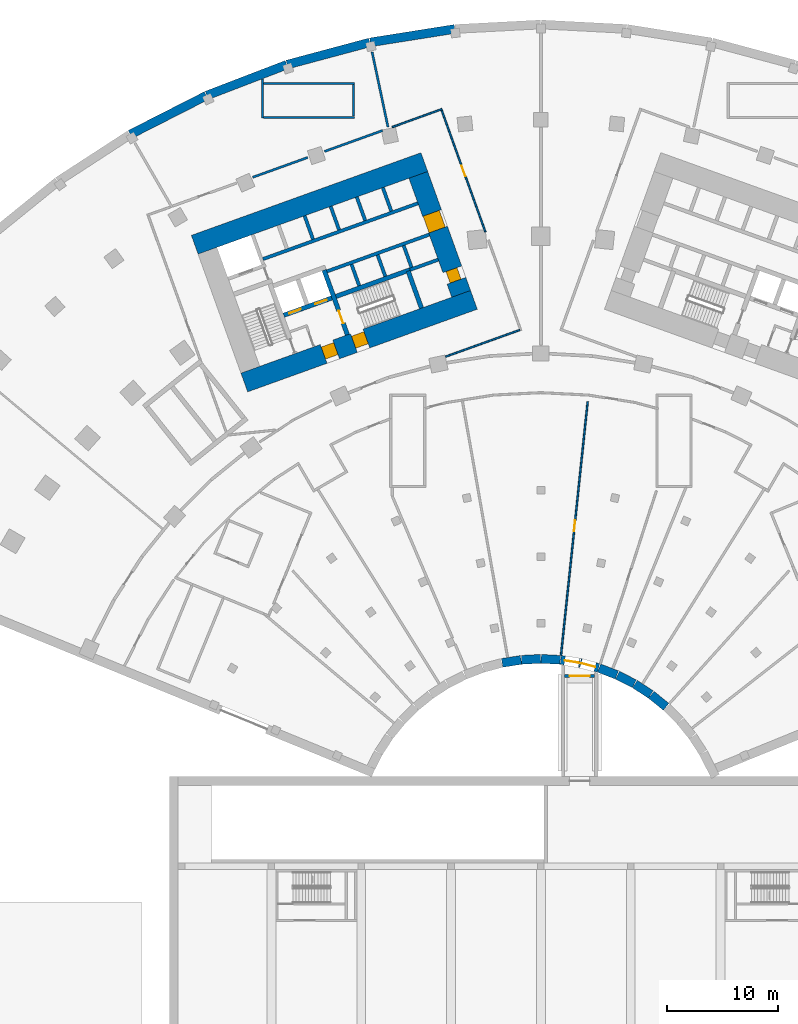
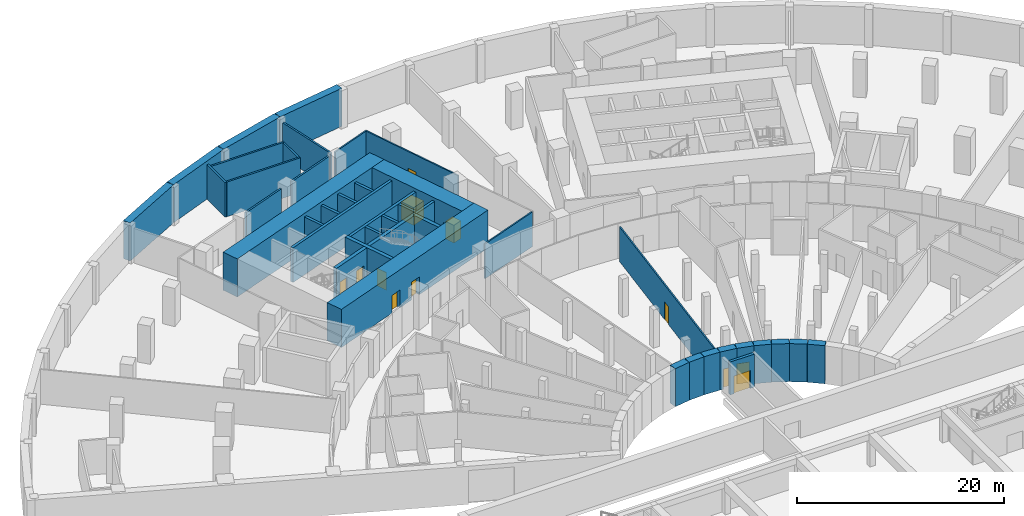
# One storey, part 9 of 23: 41 walls, 12 doors, 12 openings.
"""IFC4 building model written with IfcOpenShell, lengths in metres."""

from ifc_helpers import new_model, si_unit, direction, frame, frame_2d, origin, place, context, subcontext, project, spatial, rectangle, extrude, material, layer, layer_set, type_object, element, fill, save


model = new_model("IFC4")

# Units and contexts
model_context = context("Model", 3, precision=1e-05, world=origin(), true_north=direction((0.0, 1.0)))
body_context = subcontext(model_context, "Body", "Model", "MODEL_VIEW")
ifc_project = project(units=[si_unit("LENGTHUNIT", "METRE"), si_unit("AREAUNIT", "SQUARE_METRE"), si_unit("VOLUMEUNIT", "CUBIC_METRE"), si_unit("PLANEANGLEUNIT", "RADIAN"), si_unit("MASSUNIT", "GRAM", prefix="KILO")], contexts=[model_context])

# Site, building, storey
site_placement = place(None, origin())
site = spatial("IfcSite", under=ifc_project, at=site_placement, CompositionType="ELEMENT")
building_placement = place(site_placement, origin())
building = spatial("IfcBuilding", under=site, at=building_placement, Name="Stone Belt Terrace Tower", CompositionType="ELEMENT")
storey_placement = place(building_placement, frame((0.0, 0.0, -4.5)))
storey = spatial("IfcBuildingStorey", under=building, at=storey_placement, Name="B1", CompositionType="ELEMENT", Elevation=-4.5)

# Walls
ifc_material_1 = material(Name="Concrete B30", Category="concrete")
ifc_layer_1 = layer(ifc_material_1, 0.800048828125)
ifc_layer_set_1 = layer_set([ifc_layer_1], Name="Basement wall 800 B30")
wall_type_1 = type_object("IfcWallType", Name="Basement wall 800 B30", PredefinedType="SHEAR", material=ifc_layer_set_1)
for number, where, z_axis, x_axis, name in (
    (1, (-3.4931640625, 16.534423828125, 0.0), (0.0, 0.0, 1.0), (0.987680303549, 0.156485200519, 0.0), "Basement wall B1 10"),
    (2, (-1.74560546875, 16.80908203125, 0.0), (0.0, 0.0, 1.0), (0.998631075224, 0.052306554053, 0.0), "Basement wall B1 11"),
    (3, (0.02099609375, 16.8994140625, 0.0), (0.0, 0.0, 1.0), (0.998631075224, -0.052306554053, 0.0), "Basement wall B1 12"),
):
    element("IfcWall", number, at=place(storey_placement, frame(where, z_axis=z_axis, x_axis=x_axis)), inside=storey, type_object=wall_type_1, Name=name, PredefinedType="SHEAR", context=body_context, shape_type="SweptSolid", body=[
        extrude(rectangle(XDim=1.72705078125, YDim=0.800048828125, at=frame_2d((0.863525390625, 0.0))), origin(), (0.0, 0.0, 1.0), 4.5),
    ])

# Wall, opening, door
wall_1_placement = place(storey_placement, frame((1.787353515625, 16.8046875, 0.0), z_axis=(0.0, 0.0, 1.0), x_axis=(0.987680303549, -0.156485200519, 0.0)))
wall_1 = element("IfcWall", 4, at=wall_1_placement, inside=storey, type_object=wall_type_1, Name="Basement wall B1 13", PredefinedType="SHEAR", context=body_context, shape_type="SweptSolid", body=[
    extrude(rectangle(XDim=1.72705078125, YDim=0.800048828125, at=frame_2d((0.863525390625, 0.0))), origin(), (0.0, 0.0, 1.0), 4.5),
])
opening_1_placement = place(wall_1_placement, frame((0.3671875, 0.0, 0.0)))
opening_1 = element("IfcOpeningElement", 5, at=opening_1_placement, cuts=wall_1, Name="Opening B1-P27", PredefinedType="OPENING", context=body_context, shape_type="SweptSolid", body=[
    extrude(rectangle(XDim=1.300048828125, YDim=2.39990234375, at=frame_2d((0.64990234375, 1.199951171875))), frame((0.0, 0.409912109375, 0.0), z_axis=(0.0, -1.0, 0.0), x_axis=(1.0, 0.0, 0.0)), (0.0, 0.0, 1.0), 0.820068359375),
])
ifc_material_2 = material(Name="Steel framed door leaf", Category="steel")
door_type_1 = type_object("IfcDoorType", Name="Podium link door leaf 1300", OperationType="SINGLE_SWING_LEFT", PredefinedType="DOOR", material=ifc_material_2)
door_1_placement = place(opening_1_placement, origin())
door_1 = element("IfcDoor", 6, at=door_1_placement, inside=storey, type_object=door_type_1, Name="Podium link door leaf 1300", OperationType="SINGLE_SWING_LEFT", OverallHeight=2.39990234375, OverallWidth=1.300048828125, PredefinedType="DOOR", context=body_context, shape_type="SweptSolid", body=[
    extrude(rectangle(XDim=1.300048828125, YDim=2.39990234375, at=frame_2d((0.64990234375, 1.199951171875))), frame((0.0, 0.02490234375, 0.0), z_axis=(0.0, -1.0, 0.0), x_axis=(1.0, 0.0, 0.0)), (0.0, 0.0, 1.0), 0.050048828125),
])
fill(opening_1, door_1)

wall_2_placement = place(storey_placement, frame((3.5341796875, 16.52587890625, 0.0), z_axis=(0.0, 0.0, 1.0), x_axis=(0.965922180197, -0.258832652121, 0.0)))
wall_2 = element("IfcWall", 7, at=wall_2_placement, inside=storey, type_object=wall_type_1, Name="Basement wall B1 14", PredefinedType="SHEAR", context=body_context, shape_type="SweptSolid", body=[
    extrude(rectangle(XDim=1.72705078125, YDim=0.800048828125, at=frame_2d((0.863525390625, 0.0))), origin(), (0.0, 0.0, 1.0), 4.5),
])
opening_2_placement = place(wall_2_placement, frame((0.10009765625, 0.0, 0.0)))
opening_2 = element("IfcOpeningElement", 8, at=opening_2_placement, cuts=wall_2, Name="Opening B1-P28", PredefinedType="OPENING", context=body_context, shape_type="SweptSolid", body=[
    extrude(rectangle(XDim=1.300048828125, YDim=2.39990234375, at=frame_2d((0.64990234375, 1.199951171875))), frame((0.0, 0.409912109375, 0.0), z_axis=(0.0, -1.0, 0.0), x_axis=(1.0, 0.0, 0.0)), (0.0, 0.0, 1.0), 0.820068359375),
])
door_2_placement = place(opening_2_placement, origin())
door_2 = element("IfcDoor", 9, at=door_2_placement, inside=storey, type_object=door_type_1, Name="Podium link door leaf 1300", OperationType="SINGLE_SWING_RIGHT", OverallHeight=2.39990234375, OverallWidth=1.300048828125, PredefinedType="DOOR", context=body_context, shape_type="SweptSolid", body=[
    extrude(rectangle(XDim=1.300048828125, YDim=2.39990234375, at=frame_2d((0.64990234375, 1.199951171875))), frame((0.0, 0.02490234375, 0.0), z_axis=(0.0, -1.0, 0.0), x_axis=(1.0, 0.0, 0.0)), (0.0, 0.0, 1.0), 0.050048828125),
])
fill(opening_2, door_2)

# Walls
for number, where, z_axis, x_axis, name in (
    (10, (5.2421875, 16.06591796875, 0.0), (0.0, 0.0, 1.0), (0.933582227874, -0.358363256763, 0.0), "Basement wall B1 15"),
    (11, (6.892822265625, 15.429931640625, 0.0), (0.0, 0.0, 1.0), (0.890980157198, -0.454042244157, 0.0), "Basement wall B1 16"),
    (12, (8.468017578125, 14.625, 0.0), (0.0, 0.0, 1.0), (0.83855986691, -0.544809461745, 0.0), "Basement wall B1 17"),
    (13, (9.9501953125, 13.65966796875, 0.0), (0.0, 0.0, 1.0), (0.777159277127, -0.629303947211, 0.0), "Basement wall B1 18"),
):
    element("IfcWall", number, at=place(storey_placement, frame(where, z_axis=z_axis, x_axis=x_axis)), inside=storey, type_object=wall_type_1, Name=name, PredefinedType="SHEAR", context=body_context, shape_type="SweptSolid", body=[
        extrude(rectangle(XDim=1.72705078125, YDim=0.800048828125, at=frame_2d((0.863525390625, 0.0))), origin(), (0.0, 0.0, 1.0), 4.5),
    ])
wall_3_placement = place(storey_placement, frame((-7.76611328125, 73.690185546875, 0.0), z_axis=(0.0, 0.0, 1.0), x_axis=(-0.987688438382, -0.156433847638, 0.0)))
element("IfcWall", 14, at=wall_3_placement, inside=storey, type_object=wall_type_1, Name="Basement wall B1 37", PredefinedType="SHEAR", context=body_context, shape_type="SweptSolid", body=[
    extrude(rectangle(XDim=7.71435546875, YDim=0.800048828125, at=frame_2d((3.857177734375, 0.0))), origin(), (0.0, 0.0, 1.0), 4.5),
])
wall_4_placement = place(storey_placement, frame((-15.426513671875, 72.474853515625, 0.0), z_axis=(0.0, 0.0, 1.0), x_axis=(-0.965924317831, -0.25882467468, 0.0)))
element("IfcWall", 15, at=wall_4_placement, inside=storey, type_object=wall_type_1, Name="Basement wall B1 38", PredefinedType="SHEAR", context=body_context, shape_type="SweptSolid", body=[
    extrude(rectangle(XDim=7.714111328125, YDim=0.800048828125, at=frame_2d((3.85693359375, 0.0))), origin(), (0.0, 0.0, 1.0), 4.5),
])
wall_5_placement = place(storey_placement, frame((-22.91748046875, 70.46533203125, 0.0), z_axis=(0.0, 0.0, 1.0), x_axis=(-0.933576245877, -0.358378840243, 0.0)))
element("IfcWall", 16, at=wall_5_placement, inside=storey, type_object=wall_type_1, Name="Basement wall B1 39", PredefinedType="SHEAR", context=body_context, shape_type="SweptSolid", body=[
    extrude(rectangle(XDim=7.71435546875, YDim=0.800048828125, at=frame_2d((3.857177734375, 0.0))), origin(), (0.0, 0.0, 1.0), 4.5),
])
wall_6_placement = place(storey_placement, frame((-30.15771484375, 67.68359375, 0.0), z_axis=(0.0, 0.0, 1.0), x_axis=(-0.89100229919, -0.45399879167, 0.0)))
element("IfcWall", 17, at=wall_6_placement, inside=storey, type_object=wall_type_1, Name="Basement wall B1 40", PredefinedType="SHEAR", context=body_context, shape_type="SweptSolid", body=[
    extrude(rectangle(XDim=7.714111328125, YDim=0.800048828125, at=frame_2d((3.85693359375, 0.0))), origin(), (0.0, 0.0, 1.0), 4.5),
])

# Wall, opening, door
ifc_layer_2 = layer(ifc_material_1, 0.300048828125)
ifc_layer_set_2 = layer_set([ifc_layer_2], Name="Car park corridor wall 300")
wall_type_2 = type_object("IfcWallType", Name="Car park corridor wall 300", PredefinedType="SOLIDWALL", material=ifc_layer_set_2)
wall_7_placement = place(storey_placement, frame((2.14990234375, 15.35009765625, 0.0), z_axis=(0.0, 0.0, 1.0), x_axis=(1.0, 0.0, 0.0)))
wall_7 = element("IfcWall", 18, at=wall_7_placement, inside=storey, type_object=wall_type_2, Name="Link corridor end wall", PredefinedType="SOLIDWALL", context=body_context, shape_type="SweptSolid", body=[
    extrude(rectangle(XDim=2.7001953125, YDim=0.300048828125, at=frame_2d((1.35009765625, 0.0))), origin(), (0.0, 0.0, 1.0), 3.89990234375),
])
opening_3_placement = place(wall_7_placement, frame((0.449951171875, 0.0, 0.0)))
opening_3 = element("IfcOpeningElement", 19, at=opening_3_placement, cuts=wall_7, Name="Opening B1-S27", PredefinedType="OPENING", context=body_context, shape_type="SweptSolid", body=[
    extrude(rectangle(XDim=1.800048828125, YDim=2.10009765625, at=frame_2d((0.89990234375, 1.050048828125))), frame((0.0, 0.159912109375, 0.0), z_axis=(0.0, -1.0, 0.0), x_axis=(1.0, 0.0, 0.0)), (0.0, 0.0, 1.0), 0.320068359375),
])
ifc_material_3 = material(Name="Steel door leaf", Category="steel")
door_type_2 = type_object("IfcDoorType", Name="Corridor door pair 1800", OperationType="DOUBLE_DOOR_DOUBLE_SWING", PredefinedType="DOOR", material=ifc_material_3)
door_3_placement = place(opening_3_placement, origin())
door_3 = element("IfcDoor", 20, at=door_3_placement, inside=storey, type_object=door_type_2, Name="Tower basement link door", OperationType="SINGLE_SWING_LEFT", OverallHeight=2.10009765625, OverallWidth=1.800048828125, PredefinedType="DOOR", context=body_context, shape_type="SweptSolid", body=[
    extrude(rectangle(XDim=1.800048828125, YDim=2.10009765625, at=frame_2d((0.89990234375, 1.050048828125))), frame((0.0, 0.02490234375, 0.0), z_axis=(0.0, -1.0, 0.0), x_axis=(1.0, 0.0, 0.0)), (0.0, 0.0, 1.0), 0.050048828125),
])
fill(opening_3, door_3)

# Wall, openings, doors
ifc_material_4 = material(Name="Concrete B80", Category="concrete")
ifc_layer_3 = layer(ifc_material_4, 1.800048828125)
ifc_layer_set_3 = layer_set([ifc_layer_3], Name="Core wall 1800 B80")
wall_type_3 = type_object("IfcWallType", Name="Core wall 1800 B80", PredefinedType="SHEAR", material=ifc_layer_set_3)
wall_8_placement = place(storey_placement, frame((-26.739501953125, 41.815673828125, 0.0), z_axis=(0.0, 0.0, 1.0), x_axis=(0.940921642213, 0.338624368902, 0.0)))
wall_8 = element("IfcWall", 21, at=wall_8_placement, inside=storey, type_object=wall_type_3, Name="Core A wall concave B1", PredefinedType="SHEAR", context=body_context, shape_type="SweptSolid", body=[
    extrude(rectangle(XDim=22.0, YDim=1.800048828125, at=frame_2d((11.0, 0.0))), origin(), (0.0, 0.0, 1.0), 4.5),
])
opening_4_placement = place(wall_8_placement, frame((7.60009765625, 0.0, 0.0)))
opening_4 = element("IfcOpeningElement", 22, at=opening_4_placement, cuts=wall_8, Name="Opening B1-C05", PredefinedType="OPENING", context=body_context, shape_type="SweptSolid", body=[
    extrude(rectangle(XDim=1.199951171875, YDim=2.10009765625, at=frame_2d((0.60009765625, 1.050048828125))), frame((0.0, 0.909912109375, 0.0), z_axis=(0.0, -1.0, 0.0), x_axis=(1.0, 0.0, 0.0)), (0.0, 0.0, 1.0), 1.820068359375),
])
opening_5_placement = place(wall_8_placement, frame((10.5, 0.0, 0.0)))
opening_5 = element("IfcOpeningElement", 23, at=opening_5_placement, cuts=wall_8, Name="Opening B1-C07", PredefinedType="OPENING", context=body_context, shape_type="SweptSolid", body=[
    extrude(rectangle(XDim=1.199951171875, YDim=2.10009765625, at=frame_2d((0.60009765625, 1.050048828125))), frame((0.0, 0.909912109375, 0.0), z_axis=(0.0, -1.0, 0.0), x_axis=(1.0, 0.0, 0.0)), (0.0, 0.0, 1.0), 1.820068359375),
])
door_type_3 = type_object("IfcDoorType", Name="Fire-fighting lobby door 1200", OperationType="SINGLE_SWING_LEFT", PredefinedType="DOOR", material=ifc_material_3)
door_4_placement = place(opening_4_placement, origin())
door_4 = element("IfcDoor", 24, at=door_4_placement, inside=storey, type_object=door_type_3, Name="Fire-fighting lobby door core A", OperationType="SINGLE_SWING_RIGHT", OverallHeight=2.10009765625, OverallWidth=1.199951171875, PredefinedType="DOOR", context=body_context, shape_type="SweptSolid", body=[
    extrude(rectangle(XDim=1.199951171875, YDim=2.10009765625, at=frame_2d((0.60009765625, 1.050048828125))), frame((0.0, 0.655029296875, 0.0), z_axis=(0.0, -1.0, 0.0), x_axis=(1.0, 0.0, 0.0)), (0.0, 0.0, 1.0), 1.14990234375),
])
fill(opening_4, door_4)
door_type_4 = type_object("IfcDoorType", Name="Stair door 1200", OperationType="SINGLE_SWING_LEFT", PredefinedType="DOOR", material=ifc_material_3)
door_5_placement = place(opening_5_placement, origin())
door_5 = element("IfcDoor", 25, at=door_5_placement, inside=storey, type_object=door_type_4, Name="Stair 2 exit door core A", OperationType="SINGLE_SWING_LEFT", OverallHeight=2.10009765625, OverallWidth=1.199951171875, PredefinedType="DOOR", context=body_context, shape_type="SweptSolid", body=[
    extrude(rectangle(XDim=1.199951171875, YDim=2.10009765625, at=frame_2d((0.60009765625, 1.050048828125))), frame((0.0, 0.655029296875, 0.0), z_axis=(0.0, -1.0, 0.0), x_axis=(1.0, 0.0, 0.0)), (0.0, 0.0, 1.0), 1.14990234375),
])
fill(opening_5, door_5)

# Wall
wall_9_placement = place(storey_placement, frame((-31.20947265625, 54.23583984375, 0.0), z_axis=(0.0, 0.0, 1.0), x_axis=(0.940922914687, 0.338620833112, 0.0)))
element("IfcWall", 26, at=wall_9_placement, inside=storey, type_object=wall_type_3, Name="Core A wall convex B1", PredefinedType="SHEAR", context=body_context, shape_type="SweptSolid", body=[
    extrude(rectangle(XDim=22.000244140625, YDim=1.800048828125, at=frame_2d((11.0, 0.0))), origin(), (0.0, 0.0, 1.0), 4.5),
])

# Wall, openings, doors
wall_10_placement = place(storey_placement, frame((-7.19091796875, 49.8076171875, 0.0), z_axis=(0.0, 0.0, 1.0), x_axis=(-0.338632255135, 0.940918804033, 0.0)))
wall_10 = element("IfcWall", 27, at=wall_10_placement, inside=storey, type_object=wall_type_3, Name="Core A wall end_b B1", PredefinedType="SHEAR", context=body_context, shape_type="SweptSolid", body=[
    extrude(rectangle(XDim=11.39990234375, YDim=1.800048828125, at=frame_2d((5.699951171875, 0.0))), origin(), (0.0, 0.0, 1.0), 4.5),
])
opening_6_placement = place(wall_10_placement, frame((6.14990234375, 0.0, 0.0)))
opening_6 = element("IfcOpeningElement", 28, at=opening_6_placement, cuts=wall_10, Name="Opening B1-C02", PredefinedType="OPENING", context=body_context, shape_type="SweptSolid", body=[
    extrude(rectangle(XDim=1.60009765625, YDim=2.10009765625, at=frame_2d((0.800048828125, 1.050048828125))), frame((0.0, 0.909912109375, 0.0), z_axis=(0.0, -1.0, 0.0), x_axis=(1.0, 0.0, 0.0)), (0.0, 0.0, 1.0), 1.820068359375),
])
opening_7_placement = place(wall_10_placement, frame((1.25, 0.0, 0.0)))
opening_7 = element("IfcOpeningElement", 29, at=opening_7_placement, cuts=wall_10, Name="Opening B1-C08", PredefinedType="OPENING", context=body_context, shape_type="SweptSolid", body=[
    extrude(rectangle(XDim=1.10009765625, YDim=2.10009765625, at=frame_2d((0.550048828125, 1.050048828125))), frame((0.0, 0.909912109375, 0.0), z_axis=(0.0, -1.0, 0.0), x_axis=(1.0, 0.0, 0.0)), (0.0, 0.0, 1.0), 1.820068359375),
])
ifc_material_5 = material(Name="Timber door leaf", Category="wood")
door_type_5 = type_object("IfcDoorType", Name="Core room door 1100", OperationType="SINGLE_SWING_LEFT", PredefinedType="DOOR", material=ifc_material_5)
door_6_placement = place(opening_7_placement, origin())
door_6 = element("IfcDoor", 30, at=door_6_placement, inside=storey, type_object=door_type_5, Name="Door to Substation core A", OperationType="SINGLE_SWING_RIGHT", OverallHeight=2.10009765625, OverallWidth=1.10009765625, PredefinedType="DOOR", context=body_context, shape_type="SweptSolid", body=[
    extrude(rectangle(XDim=1.10009765625, YDim=2.10009765625, at=frame_2d((0.550048828125, 1.050048828125))), frame((0.0, 0.60498046875, 0.0), z_axis=(0.0, -1.0, 0.0), x_axis=(1.0, 0.0, 0.0)), (0.0, 0.0, 1.0), 1.050048828125),
])
fill(opening_7, door_6)
ifc_material_6 = material(Name="Glazed aluminium door leaf", Category="aluminium")
door_type_6 = type_object("IfcDoorType", Name="Lift lobby entrance door 1600", OperationType="DOUBLE_DOOR_SINGLE_SWING", PredefinedType="DOOR", material=ifc_material_6)
door_7_placement = place(opening_6_placement, origin())
door_7 = element("IfcDoor", 31, at=door_7_placement, inside=storey, type_object=door_type_6, Name="Lift lobby entrance door core A", OperationType="DOUBLE_DOOR_SINGLE_SWING", OverallHeight=2.10009765625, OverallWidth=1.60009765625, PredefinedType="DOOR", context=body_context, shape_type="SweptSolid", body=[
    extrude(rectangle(XDim=1.60009765625, YDim=2.10009765625, at=frame_2d((0.800048828125, 1.050048828125))), frame((0.0, 0.85498046875, 0.0), z_axis=(0.0, -1.0, 0.0), x_axis=(1.0, 0.0, 0.0)), (0.0, 0.0, 1.0), 1.550048828125),
])
fill(opening_6, door_7)

# Walls
ifc_layer_4 = layer(ifc_material_4, 0.300048828125)
ifc_layer_set_4 = layer_set([ifc_layer_4], Name="Lift shaft wall 300")
wall_type_4 = type_object("IfcWallType", Name="Lift shaft wall 300", PredefinedType="SHEAR", material=ifc_layer_set_4)
wall_11_placement = place(storey_placement, frame((-25.05810546875, 52.9423828125, 0.0), z_axis=(0.0, 0.0, 1.0), x_axis=(0.940918215764, 0.338633889685, 0.0)))
element("IfcWall", 32, at=wall_11_placement, inside=storey, type_object=wall_type_4, Name="Core A wall", PredefinedType="SHEAR", context=body_context, shape_type="SweptSolid", body=[
    extrude(rectangle(XDim=14.850341796875, YDim=0.300048828125, at=frame_2d((7.42529296875, 0.0))), origin(), (0.0, 0.0, 1.0), 4.10009765625),
])
wall_12_placement = place(storey_placement, frame((-19.29052734375, 51.829833984375, 0.0), z_axis=(0.0, 0.0, 1.0), x_axis=(0.940925833398, 0.338612722803, 0.0)))
element("IfcWall", 33, at=wall_12_placement, inside=storey, type_object=wall_type_4, Name="Core A wall", PredefinedType="SHEAR", context=body_context, shape_type="SweptSolid", body=[
    extrude(rectangle(XDim=9.7998046875, YDim=0.300048828125, at=frame_2d((4.89990234375, 0.0))), origin(), (0.0, 0.0, 1.0), 4.10009765625),
])
wall_13_placement = place(storey_placement, frame((-20.54541015625, 54.72607421875, 0.0), z_axis=(0.0, 0.0, 1.0), x_axis=(-0.338569601369, 0.940941350472, 0.0)))
element("IfcWall", 34, at=wall_13_placement, inside=storey, type_object=wall_type_4, Name="Core A wall", PredefinedType="SHEAR", context=body_context, shape_type="SweptSolid", body=[
    extrude(rectangle(XDim=2.249755859375, YDim=0.300048828125, at=frame_2d((1.125, 0.0))), origin(), (0.0, 0.0, 1.0), 4.10009765625),
])
wall_14_placement = place(storey_placement, frame((-16.38134765625, 50.53857421875, 0.0), z_axis=(0.0, 0.0, 1.0), x_axis=(-0.338681515556, 0.940901073982, 0.0)))
element("IfcWall", 35, at=wall_14_placement, inside=storey, type_object=wall_type_4, Name="Core A wall", PredefinedType="SHEAR", context=body_context, shape_type="SweptSolid", body=[
    extrude(rectangle(XDim=2.050048828125, YDim=0.300048828125, at=frame_2d((1.02490234375, 0.0))), origin(), (0.0, 0.0, 1.0), 4.10009765625),
])
wall_15_placement = place(storey_placement, frame((-18.193115234375, 55.572509765625, 0.0), z_axis=(0.0, 0.0, 1.0), x_axis=(-0.338535034312, 0.940953787677, 0.0)))
element("IfcWall", 36, at=wall_15_placement, inside=storey, type_object=wall_type_4, Name="Core A wall", PredefinedType="SHEAR", context=body_context, shape_type="SweptSolid", body=[
    extrude(rectangle(XDim=2.25, YDim=0.300048828125, at=frame_2d((1.125, 0.0))), origin(), (0.0, 0.0, 1.0), 4.10009765625),
])
wall_16_placement = place(storey_placement, frame((-14.029052734375, 51.38525390625, 0.0), z_axis=(0.0, 0.0, 1.0), x_axis=(-0.338681515556, 0.940901073982, 0.0)))
element("IfcWall", 37, at=wall_16_placement, inside=storey, type_object=wall_type_4, Name="Core A wall", PredefinedType="SHEAR", context=body_context, shape_type="SweptSolid", body=[
    extrude(rectangle(XDim=2.050048828125, YDim=0.300048828125, at=frame_2d((1.02490234375, 0.0))), origin(), (0.0, 0.0, 1.0), 4.10009765625),
])
wall_17_placement = place(storey_placement, frame((-15.8408203125, 56.419189453125, 0.0), z_axis=(0.0, 0.0, 1.0), x_axis=(-0.338569601369, 0.940941350472, 0.0)))
element("IfcWall", 38, at=wall_17_placement, inside=storey, type_object=wall_type_4, Name="Core A wall", PredefinedType="SHEAR", context=body_context, shape_type="SweptSolid", body=[
    extrude(rectangle(XDim=2.249755859375, YDim=0.300048828125, at=frame_2d((1.125, 0.0))), origin(), (0.0, 0.0, 1.0), 4.10009765625),
])
wall_18_placement = place(storey_placement, frame((-11.797119140625, 51.975830078125, 0.0), z_axis=(0.0, 0.0, 1.0), x_axis=(0.940910465161, 0.33865542451, 0.0)))
element("IfcWall", 39, at=wall_18_placement, inside=storey, type_object=wall_type_4, Name="Core A wall", PredefinedType="SHEAR", context=body_context, shape_type="SweptSolid", body=[
    extrude(rectangle(XDim=2.69970703125, YDim=0.300048828125, at=frame_2d((1.349853515625, 0.0))), origin(), (0.0, 0.0, 1.0), 4.10009765625),
])
wall_19_placement = place(storey_placement, frame((-11.659912109375, 52.184814453125, 0.0), z_axis=(0.0, 0.0, 1.0), x_axis=(-0.338670064856, 0.940905195634, 0.0)))
element("IfcWall", 40, at=wall_19_placement, inside=storey, type_object=wall_type_4, Name="Core A wall", PredefinedType="SHEAR", context=body_context, shape_type="SweptSolid", body=[
    extrude(rectangle(XDim=2.099853515625, YDim=0.300048828125, at=frame_2d((1.0498046875, 0.0))), origin(), (0.0, 0.0, 1.0), 4.10009765625),
])
wall_20_placement = place(storey_placement, frame((-13.48828125, 57.265625, 0.0), z_axis=(0.0, 0.0, 1.0), x_axis=(-0.338631098537, 0.940919220286, 0.0)))
element("IfcWall", 41, at=wall_20_placement, inside=storey, type_object=wall_type_4, Name="Core A wall", PredefinedType="SHEAR", context=body_context, shape_type="SweptSolid", body=[
    extrude(rectangle(XDim=2.250244140625, YDim=0.300048828125, at=frame_2d((1.125, 0.0))), origin(), (0.0, 0.0, 1.0), 4.10009765625),
])
ifc_material_7 = material(Name="Blockwork wall, plastered both faces", Category="masonry")
ifc_layer_5 = layer(ifc_material_7, 0.199951171875)
ifc_layer_set_5 = layer_set([ifc_layer_5], Name="Podium demising wall 200")
wall_type_5 = type_object("IfcWallType", Name="Podium demising wall 200", PredefinedType="PARTITIONING", material=ifc_layer_set_5)
wall_21_placement = place(storey_placement, frame((-25.989990234375, 60.314697265625, 0.0), z_axis=(0.0, 0.0, 1.0), x_axis=(0.940919266197, 0.338630970969, 0.0)))
element("IfcWall", 42, at=wall_21_placement, inside=storey, type_object=wall_type_5, Name="Podium demising wall 200", PredefinedType="PARTITIONING", context=body_context, shape_type="SweptSolid", body=[
    extrude(rectangle(XDim=5.275390625, YDim=0.199951171875, at=frame_2d((2.6376953125, 0.0))), origin(), (0.0, 0.0, 1.0), 4.10009765625),
])
wall_22_placement = place(storey_placement, frame((-19.5126953125, 62.64599609375, 0.0), z_axis=(0.0, 0.0, 1.0), x_axis=(0.940910881343, 0.3386542682, 0.0)))
element("IfcWall", 43, at=wall_22_placement, inside=storey, type_object=wall_type_5, Name="Podium demising wall 200", PredefinedType="PARTITIONING", context=body_context, shape_type="SweptSolid", body=[
    extrude(rectangle(XDim=5.569091796875, YDim=0.199951171875, at=frame_2d((2.78466796875, 0.0))), origin(), (0.0, 0.0, 1.0), 4.10009765625),
])
wall_23_placement = place(storey_placement, frame((-15.22021484375, 71.618408203125, 0.0), z_axis=(0.0, 0.0, 1.0), x_axis=(0.207089788277, -0.978321940667, 0.0)))
element("IfcWall", 44, at=wall_23_placement, inside=storey, type_object=wall_type_5, Name="Podium demising wall 200", PredefinedType="PARTITIONING", context=body_context, shape_type="SweptSolid", body=[
    extrude(rectangle(XDim=6.9189453125, YDim=0.199951171875, at=frame_2d((3.45947265625, 0.0))), origin(), (0.0, 0.0, 1.0), 4.10009765625),
])
ifc_material_8 = material(Name="Gypsum board on steel stud partition", Category="steel")
ifc_layer_6 = layer(ifc_material_8, 0.14990234375)
ifc_layer_set_6 = layer_set([ifc_layer_6], Name="Podium partition 150")
wall_type_6 = type_object("IfcWallType", Name="Podium partition 150", PredefinedType="PARTITIONING", material=ifc_layer_set_6)
wall_24_placement = place(storey_placement, frame((-13.40283203125, 64.83935546875, 0.0), z_axis=(0.0, 0.0, 1.0), x_axis=(0.940312929769, 0.340311025547, 0.0)))
element("IfcWall", 45, at=wall_24_placement, inside=storey, type_object=wall_type_6, Name="Podium partition 150", PredefinedType="PARTITIONING", context=body_context, shape_type="SweptSolid", body=[
    extrude(rectangle(XDim=4.778564453125, YDim=0.14990234375, at=frame_2d((2.38916015625, 0.0))), origin(), (0.0, 0.0, 1.0), 4.10009765625),
])

# Wall, opening, door
wall_25_placement = place(storey_placement, frame((-8.95458984375, 66.369384765625, 0.0), z_axis=(0.0, 0.0, 1.0), x_axis=(0.338743185724, -0.940878873249, 0.0)))
wall_25 = element("IfcWall", 46, at=wall_25_placement, inside=storey, type_object=wall_type_6, Name="Podium partition 150", PredefinedType="PARTITIONING", context=body_context, shape_type="SweptSolid", body=[
    extrude(rectangle(XDim=11.664306640625, YDim=0.14990234375, at=frame_2d((5.83203125, 0.0))), origin(), (0.0, 0.0, 1.0), 4.10009765625),
])
opening_8_placement = place(wall_25_placement, frame((5.33203125, 0.0, 0.0)))
opening_8 = element("IfcOpeningElement", 47, at=opening_8_placement, cuts=wall_25, Name="Opening B1-P17", PredefinedType="OPENING", context=body_context, shape_type="SweptSolid", body=[
    extrude(rectangle(XDim=1.0, YDim=2.10009765625, at=frame_2d((0.5, 1.050048828125))), frame((0.0, 0.0849609375, 0.0), z_axis=(0.0, -1.0, 0.0), x_axis=(1.0, 0.0, 0.0)), (0.0, 0.0, 1.0), 0.169921875),
])
door_type_7 = type_object("IfcDoorType", Name="Podium door single 1000", OperationType="SINGLE_SWING_LEFT", PredefinedType="DOOR", material=ifc_material_2)
door_8_placement = place(opening_8_placement, origin())
door_8 = element("IfcDoor", 48, at=door_8_placement, inside=storey, type_object=door_type_7, Name="Podium door single 1000", OperationType="SINGLE_SWING_LEFT", OverallHeight=2.10009765625, OverallWidth=1.0, PredefinedType="DOOR", context=body_context, shape_type="SweptSolid", body=[
    extrude(rectangle(XDim=1.0, YDim=2.10009765625, at=frame_2d((0.5, 1.050048828125))), frame((0.0, 0.02490234375, 0.0), z_axis=(0.0, -1.0, 0.0), x_axis=(1.0, 0.0, 0.0)), (0.0, 0.0, 1.0), 0.050048828125),
])
fill(opening_8, door_8)

# Wall
wall_26_placement = place(storey_placement, frame((-8.594970703125, 44.14306640625, 0.0), z_axis=(0.0, 0.0, 1.0), x_axis=(0.94081303207, 0.338926007687, 0.0)))
element("IfcWall", 49, at=wall_26_placement, inside=storey, type_object=wall_type_6, Name="Podium partition 150", PredefinedType="PARTITIONING", context=body_context, shape_type="SweptSolid", body=[
    extrude(rectangle(XDim=7.115478515625, YDim=0.14990234375, at=frame_2d((3.5576171875, 0.0))), origin(), (0.0, 0.0, 1.0), 4.10009765625),
])

# Wall, opening, door
wall_27_placement = place(storey_placement, frame((1.809326171875, 17.2041015625, 0.0), z_axis=(0.0, 0.0, 1.0), x_axis=(0.104667663158, 0.994507255021, 0.0)))
wall_27 = element("IfcWall", 50, at=wall_27_placement, inside=storey, type_object=wall_type_6, Name="Podium partition 150", PredefinedType="PARTITIONING", context=body_context, shape_type="SweptSolid", body=[
    extrude(rectangle(XDim=23.010498046875, YDim=0.14990234375, at=frame_2d((11.50537109375, 0.0))), origin(), (0.0, 0.0, 1.0), 4.10009765625),
])
opening_9_placement = place(wall_27_placement, frame((11.268310546875, 0.0, 0.0)))
opening_9 = element("IfcOpeningElement", 51, at=opening_9_placement, cuts=wall_27, Name="Opening B1-P08", PredefinedType="OPENING", context=body_context, shape_type="SweptSolid", body=[
    extrude(rectangle(XDim=1.0, YDim=2.10009765625, at=frame_2d((0.5, 1.050048828125))), frame((0.0, 0.0849609375, 0.0), z_axis=(0.0, -1.0, 0.0), x_axis=(1.0, 0.0, 0.0)), (0.0, 0.0, 1.0), 0.169921875),
])
door_9_placement = place(opening_9_placement, origin())
door_9 = element("IfcDoor", 52, at=door_9_placement, inside=storey, type_object=door_type_7, Name="Podium door single 1000", OperationType="SINGLE_SWING_RIGHT", OverallHeight=2.10009765625, OverallWidth=1.0, PredefinedType="DOOR", context=body_context, shape_type="SweptSolid", body=[
    extrude(rectangle(XDim=1.0, YDim=2.10009765625, at=frame_2d((0.5, 1.050048828125))), frame((0.0, 0.02490234375, 0.0), z_axis=(0.0, -1.0, 0.0), x_axis=(1.0, 0.0, 0.0)), (0.0, 0.0, 1.0), 0.050048828125),
])
fill(opening_9, door_9)

# Walls
ifc_layer_7 = layer(ifc_material_1, 0.199951171875)
ifc_layer_set_7 = layer_set([ifc_layer_7], Name="Podium stair and shaft wall 200")
wall_type_7 = type_object("IfcWallType", Name="Podium stair and shaft wall 200", PredefinedType="SOLIDWALL", material=ifc_layer_set_7)
wall_28_placement = place(storey_placement, frame((-25.110107421875, 65.657958984375, 0.0), z_axis=(0.0, 0.0, 1.0), x_axis=(0.0, 1.0, 0.0)))
element("IfcWall", 53, at=wall_28_placement, inside=storey, type_object=wall_type_7, Name="Podium stair and shaft wall 200", PredefinedType="SOLIDWALL", context=body_context, shape_type="SweptSolid", body=[
    extrude(rectangle(XDim=3.498291015625, YDim=0.199951171875, at=frame_2d((1.7490234375, 0.0))), origin(), (0.0, 0.0, 1.0), 4.10009765625),
])
for number, where, z_axis, x_axis, name in (
    (54, (-25.010009765625, 65.719970703125, 0.0), (0.0, 0.0, 1.0), (1.0, 0.0, 0.0), "Podium stair and shaft wall 200"),
    (55, (-25.010009765625, 68.780029296875, 0.0), (0.0, 0.0, 1.0), (1.0, 0.0, 0.0), "Podium stair and shaft wall 200"),
):
    element("IfcWall", number, at=place(storey_placement, frame(where, z_axis=z_axis, x_axis=x_axis)), inside=storey, type_object=wall_type_7, Name=name, PredefinedType="SOLIDWALL", context=body_context, shape_type="SweptSolid", body=[
        extrude(rectangle(XDim=8.219970703125, YDim=0.199951171875, at=frame_2d((4.10986328125, 0.0))), origin(), (0.0, 0.0, 1.0), 4.10009765625),
    ])
wall_29_placement = place(storey_placement, frame((-16.889892578125, 65.820068359375, 0.0), z_axis=(0.0, 0.0, 1.0), x_axis=(0.0, 1.0, 0.0)))
element("IfcWall", 56, at=wall_29_placement, inside=storey, type_object=wall_type_7, Name="Podium stair and shaft wall 200", PredefinedType="SOLIDWALL", context=body_context, shape_type="SweptSolid", body=[
    extrude(rectangle(XDim=2.85986328125, YDim=0.199951171875, at=frame_2d((1.429931640625, 0.0))), origin(), (0.0, 0.0, 1.0), 4.10009765625),
])

# Wall, openings, doors
ifc_layer_8 = layer(ifc_material_4, 0.39990234375)
ifc_layer_set_8 = layer_set([ifc_layer_8], Name="Stair enclosure wall 400")
wall_type_8 = type_object("IfcWallType", Name="Stair enclosure wall 400", PredefinedType="SHEAR", material=ifc_layer_set_8)
wall_30_placement = place(storey_placement, frame((-23.182373046875, 47.87841796875, 0.0), z_axis=(0.0, 0.0, 1.0), x_axis=(0.940921101762, 0.338625870628, 0.0)))
wall_30 = element("IfcWall", 57, at=wall_30_placement, inside=storey, type_object=wall_type_8, Name="Core A wall", PredefinedType="SHEAR", context=body_context, shape_type="SweptSolid", body=[
    extrude(rectangle(XDim=12.10009765625, YDim=0.39990234375, at=frame_2d((6.050048828125, 0.0))), origin(), (0.0, 0.0, 1.0), 4.10009765625),
])
opening_10_placement = place(wall_30_placement, frame((0.52001953125, 0.0, 0.0)))
opening_10 = element("IfcOpeningElement", 58, at=opening_10_placement, cuts=wall_30, Name="Opening B1-LD01", PredefinedType="OPENING", context=body_context, shape_type="SweptSolid", body=[
    extrude(rectangle(XDim=1.10009765625, YDim=2.199951171875, at=frame_2d((0.550048828125, 1.10009765625))), frame((0.0, 0.2099609375, 0.0), z_axis=(0.0, -1.0, 0.0), x_axis=(1.0, 0.0, 0.0)), (0.0, 0.0, 1.0), 0.419921875),
])
opening_11_placement = place(wall_30_placement, frame((3.02001953125, 0.0, 0.0)))
opening_11 = element("IfcOpeningElement", 59, at=opening_11_placement, cuts=wall_30, Name="Opening B1-LD02", PredefinedType="OPENING", context=body_context, shape_type="SweptSolid", body=[
    extrude(rectangle(XDim=1.10009765625, YDim=2.199951171875, at=frame_2d((0.550048828125, 1.10009765625))), frame((0.0, 0.2099609375, 0.0), z_axis=(0.0, -1.0, 0.0), x_axis=(1.0, 0.0, 0.0)), (0.0, 0.0, 1.0), 0.419921875),
])
ifc_material_9 = material(Name="Stainless steel door leaf", Category="steel")
door_type_8 = type_object("IfcDoorType", Name="Landing door 1100", OperationType="SLIDING_TO_LEFT", PredefinedType="DOOR", material=ifc_material_9)
door_10_placement = place(opening_10_placement, origin())
door_10 = element("IfcDoor", 60, at=door_10_placement, inside=storey, type_object=door_type_8, Name="Landing door FF1 core A", OperationType="SLIDING_TO_LEFT", OverallHeight=2.199951171875, OverallWidth=1.10009765625, PredefinedType="DOOR", context=body_context, shape_type="SweptSolid", body=[
    extrude(rectangle(XDim=1.10009765625, YDim=2.199951171875, at=frame_2d((0.550048828125, 1.10009765625))), frame((0.0, 0.02490234375, 0.0), z_axis=(0.0, -1.0, 0.0), x_axis=(1.0, 0.0, 0.0)), (0.0, 0.0, 1.0), 0.050048828125),
])
fill(opening_10, door_10)
door_11_placement = place(opening_11_placement, origin())
door_11 = element("IfcDoor", 61, at=door_11_placement, inside=storey, type_object=door_type_8, Name="Landing door FF2 core A", OperationType="SLIDING_TO_LEFT", OverallHeight=2.199951171875, OverallWidth=1.10009765625, PredefinedType="DOOR", context=body_context, shape_type="SweptSolid", body=[
    extrude(rectangle(XDim=1.10009765625, YDim=2.199951171875, at=frame_2d((0.550048828125, 1.10009765625))), frame((0.0, 0.02490234375, 0.0), z_axis=(0.0, -1.0, 0.0), x_axis=(1.0, 0.0, 0.0)), (0.0, 0.0, 1.0), 0.050048828125),
])
fill(opening_11, door_11)

# Wall, opening, door
wall_31_placement = place(storey_placement, frame((-17.447021484375, 46.116455078125, 0.0), z_axis=(0.0, 0.0, 1.0), x_axis=(-0.33860791464, 0.940927563707, 0.0)))
wall_31 = element("IfcWall", 62, at=wall_31_placement, inside=storey, type_object=wall_type_8, Name="Core A wall", PredefinedType="SHEAR", context=body_context, shape_type="SweptSolid", body=[
    extrude(rectangle(XDim=6.199951171875, YDim=0.39990234375, at=frame_2d((3.10009765625, 0.0))), origin(), (0.0, 0.0, 1.0), 4.10009765625),
])
opening_12_placement = place(wall_31_placement, frame((1.10009765625, 0.0, 0.0)))
opening_12 = element("IfcOpeningElement", 63, at=opening_12_placement, cuts=wall_31, Name="Opening B1-C06", PredefinedType="OPENING", context=body_context, shape_type="SweptSolid", body=[
    extrude(rectangle(XDim=1.199951171875, YDim=2.10009765625, at=frame_2d((0.60009765625, 1.050048828125))), frame((0.0, 0.2099609375, 0.0), z_axis=(0.0, -1.0, 0.0), x_axis=(1.0, 0.0, 0.0)), (0.0, 0.0, 1.0), 0.419921875),
])
door_12_placement = place(opening_12_placement, origin())
door_12 = element("IfcDoor", 64, at=door_12_placement, inside=storey, type_object=door_type_4, Name="Stair 2 door core A", OperationType="SINGLE_SWING_RIGHT", OverallHeight=2.10009765625, OverallWidth=1.199951171875, PredefinedType="DOOR", context=body_context, shape_type="SweptSolid", body=[
    extrude(rectangle(XDim=1.199951171875, YDim=2.10009765625, at=frame_2d((0.60009765625, 1.050048828125))), frame((0.0, 0.02490234375, 0.0), z_axis=(0.0, -1.0, 0.0), x_axis=(1.0, 0.0, 0.0)), (0.0, 0.0, 1.0), 0.050048828125),
])
fill(opening_12, door_12)

# Wall
wall_32_placement = place(storey_placement, frame((-10.766357421875, 48.520751953125, 0.0), z_axis=(0.0, 0.0, 1.0), x_axis=(-0.338626928157, 0.94092072117, 0.0)))
element("IfcWall", 65, at=wall_32_placement, inside=storey, type_object=wall_type_8, Name="Core A wall", PredefinedType="SHEAR", context=body_context, shape_type="SweptSolid", body=[
    extrude(rectangle(XDim=3.550048828125, YDim=0.39990234375, at=frame_2d((1.77490234375, 0.0))), origin(), (0.0, 0.0, 1.0), 4.10009765625),
])

save(model, "model.ifc")
